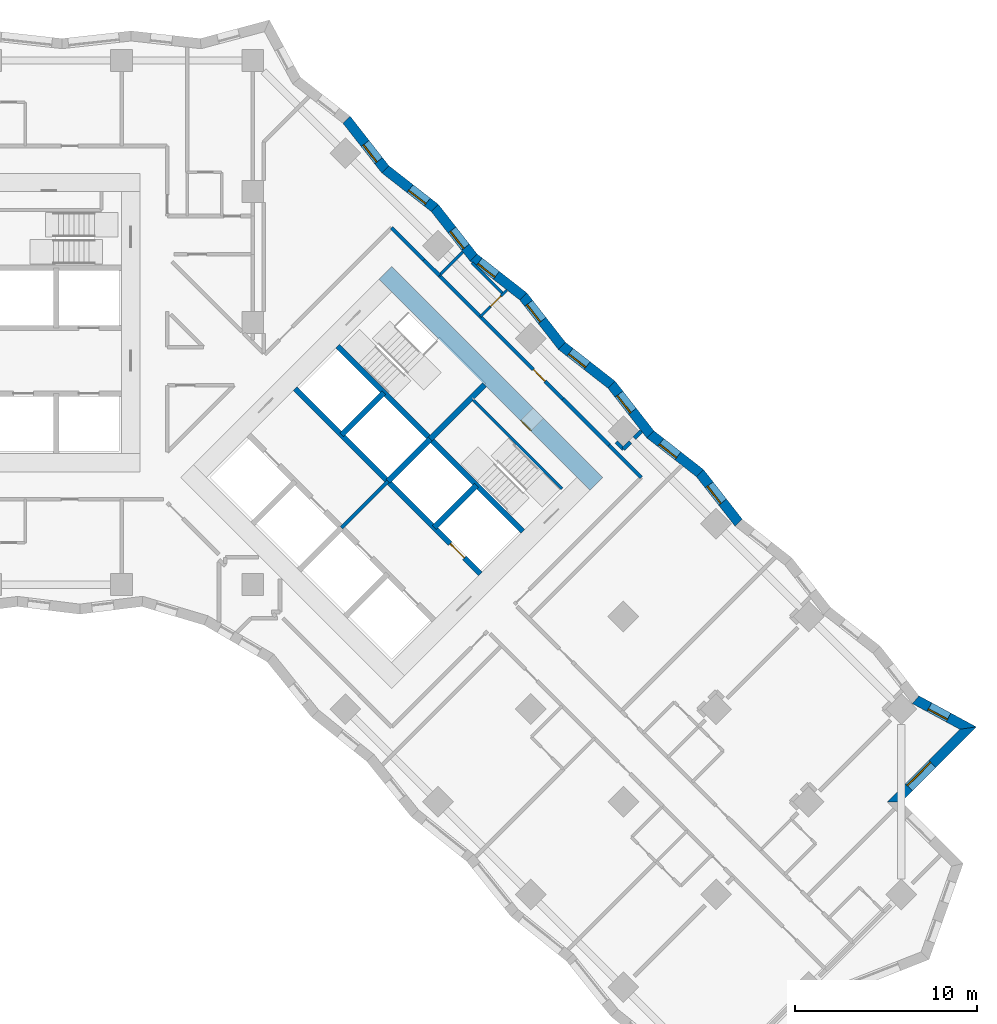
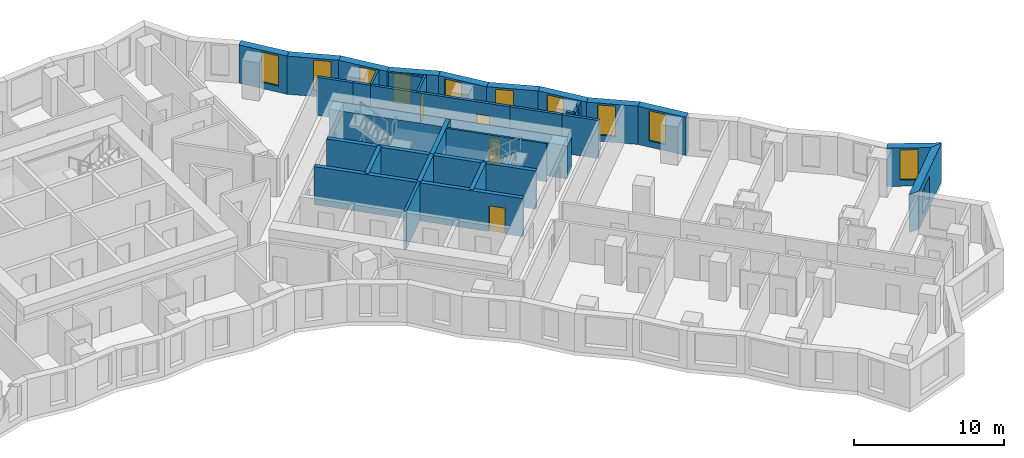
# One storey, part 10 of 13: 32 walls, 11 windows, 4 doors, 15 openings.
"""IFC4 building model written with IfcOpenShell, lengths in metres."""

import ifcopenshell
import ifcopenshell.guid

model = None  # the IFC model being written
_history = None  # IfcOwnerHistory: only IFC2X3 demands one
_inside = {}  # id of a spatial element -> (the spatial element, [elements in it])
_under = {}  # id of a project, library or spatial element -> (it, [spatial elements below it])
_declared = {}  # id of a project -> (the project, [libraries it declares])
_typed = {}  # id of a type object -> (the type object, [elements of that type])
_made_of = {}  # id of a material, layer set ... -> (it, [elements and type objects made of it])


def new_model(schema):
    """Start an empty IFC model of exactly this schema.

    Asked for "IFC4X3", IfcOpenShell would pick the latest addendum, in which some entities
    have other attributes; the version numbers below select the first issue.
    IFC2X3 requires an IfcOwnerHistory on every rooted entity: one is made here for all.
    """
    global model, _history
    if schema == "IFC4X3":
        model = ifcopenshell.file(schema_version=(4, 3, 0, 0))
    else:
        model = ifcopenshell.file(schema=schema)
    _inside.clear()
    _under.clear()
    _declared.clear()
    _typed.clear()
    _made_of.clear()
    _history = None
    if model.schema == "IFC2X3":
        org = make("IfcOrganization", Name="unknown")
        user = make(
            "IfcPersonAndOrganization",
            ThePerson=make("IfcPerson", FamilyName="unknown"),
            TheOrganization=org,
        )
        app = make(
            "IfcApplication",
            ApplicationDeveloper=org,
            Version="unknown",
            ApplicationFullName="unknown",
            ApplicationIdentifier="unknown",
        )
        _history = make(
            "IfcOwnerHistory",
            OwningUser=user,
            OwningApplication=app,
            ChangeAction="ADDED",
            CreationDate=0,
        )
    return model


def make(cls, **values):
    """One entity of the class cls with the attributes given. An attribute that is None is left unset."""
    return model.create_entity(
        cls, **{name: value for name, value in values.items() if value is not None}
    )


def rooted(cls, **values):
    """An entity with a GlobalId (a new one), such as an element, a storey or a relation."""
    return make(cls, GlobalId=ifcopenshell.guid.new(), OwnerHistory=_history, **values)


def si_unit(unit_type, name, prefix=None):
    """IfcSIUnit, for example si_unit("LENGTHUNIT", "METRE", prefix="MILLI")."""
    return make("IfcSIUnit", UnitType=unit_type, Prefix=prefix, Name=name)


def assignment(units):
    """IfcUnitAssignment: the units of a project."""
    return None if units is None else make("IfcUnitAssignment", Units=units)


def point(xyz):
    """IfcCartesianPoint."""
    return None if xyz is None else make("IfcCartesianPoint", Coordinates=xyz)


def direction(xyz):
    """IfcDirection."""
    return None if xyz is None else make("IfcDirection", DirectionRatios=xyz)


def frame(location, z_axis=None, x_axis=None):
    """IfcAxis2Placement3D, a coordinate frame: its origin and axes. An axis left out is left unset."""
    return make(
        "IfcAxis2Placement3D",
        Location=point(location),
        Axis=direction(z_axis),
        RefDirection=direction(x_axis),
    )


def frame_2d(location, x_axis=None):
    """IfcAxis2Placement2D, a coordinate frame in the plane: its origin and x axis."""
    return make(
        "IfcAxis2Placement2D", Location=point(location), RefDirection=direction(x_axis)
    )


def origin():
    """The frame at (0, 0, 0) with its axes left unset."""
    return frame((0.0, 0.0, 0.0))


def place(relative_to, where):
    """IfcLocalPlacement: puts the frame where relative to a parent placement (None: the world)."""
    return make(
        "IfcLocalPlacement", PlacementRelTo=relative_to, RelativePlacement=where
    )


def context(
    kind, dimensions, precision=None, world=None, true_north=None, identifier=None
):
    """IfcGeometricRepresentationContext, for example the 3D "Model" context."""
    return make(
        "IfcGeometricRepresentationContext",
        ContextIdentifier=identifier,
        ContextType=kind,
        CoordinateSpaceDimension=dimensions,
        Precision=precision,
        WorldCoordinateSystem=world,
        TrueNorth=true_north,
    )


def subcontext(parent, identifier, kind, view, scale=None):
    """IfcGeometricRepresentationSubContext, for example "Body" below "Model"."""
    return make(
        "IfcGeometricRepresentationSubContext",
        ContextIdentifier=identifier,
        ContextType=kind,
        ParentContext=parent,
        TargetScale=scale,
        TargetView=view,
    )


def project(units=None, contexts=None):
    """IfcProject with its units and contexts."""
    return rooted(
        "IfcProject",
        Name="project",
        RepresentationContexts=contexts,
        UnitsInContext=assignment(units),
    )


def spatial(cls, under=None, at=None, **own):
    """A site, building, storey or space (cls), placed at a placement, below another one or the project."""
    s = rooted(cls, ObjectPlacement=at, **own)
    if under is not None:
        _under.setdefault(under.id(), (under, []))[1].append(s)
    return s


def polyline(points):
    """IfcPolyline through the points."""
    return make("IfcPolyline", Points=[point(p) for p in points])


def profile(cls, at=None, kind="AREA", **sizes):
    """A parametric profile (cls). Its sizes go by their IFC names, for example OverallWidth=200.0."""
    return make(cls, ProfileType=kind, Position=at, **sizes)


def rectangle(**sizes):
    """IfcRectangleProfileDef."""
    return profile("IfcRectangleProfileDef", **sizes)


def outline(outer, holes=None, kind="AREA"):
    """IfcArbitraryClosedProfileDef: a profile drawn as a closed curve; with holes, ...WithVoids."""
    if holes is None:
        return make("IfcArbitraryClosedProfileDef", ProfileType=kind, OuterCurve=outer)
    return make(
        "IfcArbitraryProfileDefWithVoids",
        ProfileType=kind,
        OuterCurve=outer,
        InnerCurves=holes,
    )


def extrude(swept, where, along, depth):
    """IfcExtrudedAreaSolid: the profile swept, set in the frame where, extruded along a direction by depth."""
    return make(
        "IfcExtrudedAreaSolid",
        SweptArea=swept,
        Position=where,
        ExtrudedDirection=direction(along),
        Depth=depth,
    )


def shape(context_of_items, identifier, shape_type, items):
    """IfcShapeRepresentation: the items that make up one representation, for example the "Body"."""
    return make(
        "IfcShapeRepresentation",
        ContextOfItems=context_of_items,
        RepresentationIdentifier=identifier,
        RepresentationType=shape_type,
        Items=items,
    )


def material(Name=None, Category=None):
    """IfcMaterial."""
    return make("IfcMaterial", Name=Name, Category=Category)


def layer(
    of_material, thickness, ventilated=None, Name=None, Category=None, Priority=None
):
    """IfcMaterialLayer: one layer of a wall or slab, of a material (None: an air gap)."""
    return make(
        "IfcMaterialLayer",
        Material=of_material,
        LayerThickness=thickness,
        IsVentilated=ventilated,
        Name=Name,
        Category=Category,
        Priority=Priority,
    )


def layer_set(layers, Name=None):
    """IfcMaterialLayerSet."""
    return make("IfcMaterialLayerSet", MaterialLayers=layers, LayerSetName=Name)


def made_of(thing, what):
    """Note that an element or type object is made of a material, layer set ...; save() writes the relation."""
    if what is not None:
        _made_of.setdefault(what.id(), (what, []))[1].append(thing)
    return thing


def type_object(cls, material=None, **own):
    """A type object (cls), such as IfcWallType, which elements share."""
    return made_of(rooted(cls, **own), material)


def element(
    cls,
    number,
    at=None,
    inside=None,
    cuts=None,
    type_object=None,
    material=None,
    context=None,
    identifier="Body",
    shape_type=None,
    held_by="IfcProductDefinitionShape",
    body=None,
    shapes=None,
    **own,
):
    """One element of the class cls, such as IfcWall. Its Tag is "e" and its number.

    at: its placement. inside: the storey or other place that contains it. cuts: it is an
    opening in that element (IfcRelVoidsElement). A single representation is given by context,
    identifier, shape_type and body (its items); several are given by shapes. held_by: the class
    of the entity that holds the representations. save() writes the other relations.
    """
    e = rooted(cls, Tag="e%d" % number, ObjectPlacement=at, **own)
    if body is not None:
        shapes = [shape(context, identifier, shape_type, body)]
    if shapes is not None:
        e.Representation = make(held_by, Representations=shapes)
    if inside is not None:
        _inside.setdefault(inside.id(), (inside, []))[1].append(e)
    if cuts is not None:
        rooted(
            "IfcRelVoidsElement", RelatingBuildingElement=cuts, RelatedOpeningElement=e
        )
    if type_object is not None:
        _typed.setdefault(type_object.id(), (type_object, []))[1].append(e)
    return made_of(e, material)


def fill(opening, filler):
    """IfcRelFillsElement: the door or window that sits in an opening."""
    return rooted(
        "IfcRelFillsElement",
        RelatingOpeningElement=opening,
        RelatedBuildingElement=filler,
    )


def aggregate(whole, parts):
    """IfcRelAggregates: a whole, such as a stair, and the parts it consists of."""
    return rooted("IfcRelAggregates", RelatingObject=whole, RelatedObjects=parts)


def save(model, path):
    """Write the relations noted so far, then the file.

    IfcRelAggregates (storeys below a building ...), IfcRelContainedInSpatialStructure (elements
    in a storey), IfcRelDefinesByType, IfcRelAssociatesMaterial and IfcRelDeclares: one each for
    every whole, place, type object, material and project.
    """
    for whole, parts in _under.values():
        aggregate(whole, parts)
    for where, things in _inside.values():
        rooted(
            "IfcRelContainedInSpatialStructure",
            RelatedElements=things,
            RelatingStructure=where,
        )
    for kind, things in _typed.values():
        rooted("IfcRelDefinesByType", RelatedObjects=things, RelatingType=kind)
    for what, things in _made_of.values():
        rooted("IfcRelAssociatesMaterial", RelatedObjects=things, RelatingMaterial=what)
    for by, libraries in _declared.values():
        rooted("IfcRelDeclares", RelatingContext=by, RelatedDefinitions=libraries)
    model.write(path)


model = new_model("IFC4")

# Units and contexts
model_context = context("Model", 3, precision=1e-05, world=origin(), true_north=direction((0.0, 1.0)))
body_context = subcontext(model_context, "Body", "Model", "MODEL_VIEW")
ifc_project = project(units=[si_unit("LENGTHUNIT", "METRE"), si_unit("AREAUNIT", "SQUARE_METRE"), si_unit("VOLUMEUNIT", "CUBIC_METRE"), si_unit("PLANEANGLEUNIT", "RADIAN"), si_unit("MASSUNIT", "GRAM", prefix="KILO")], contexts=[model_context])

# Site, building, storey
site_placement = place(None, origin())
site = spatial("IfcSite", under=ifc_project, at=site_placement, CompositionType="ELEMENT")
building_placement = place(site_placement, origin())
building = spatial("IfcBuilding", under=site, at=building_placement, Name="Windrow Commons", CompositionType="ELEMENT")
storey_placement = place(building_placement, frame((0.0, 0.0, 40.6)))
storey = spatial("IfcBuildingStorey", under=building, at=storey_placement, Name="L10", CompositionType="ELEMENT", Elevation=40.6)

# Wall, opening, window
ifc_material_1 = material(Name="Brick masonry, red clay brick", Category="masonry")
ifc_layer_1 = layer(ifc_material_1, 0.55)
ifc_layer_set_1 = layer_set([ifc_layer_1], Name="Brick facade wall 550")
wall_type_1 = type_object("IfcWallType", Name="Brick facade wall 550", PredefinedType="SOLIDWALL", material=ifc_layer_set_1)
wall_1_placement = place(storey_placement, frame((114.4493, 31.2706, 0.0), z_axis=(0.0, 0.0, 1.0), x_axis=(0.7070980511, 0.7071155112, 0.0)))
wall_1 = element("IfcWall", 1, at=wall_1_placement, inside=storey, type_object=wall_type_1, Name="Brick facade wall L10 6", PredefinedType="SOLIDWALL", context=body_context, shape_type="SweptSolid", body=[
    extrude(outline(polyline([(0.275, -0.275), (6.096, -0.275), (5.3586, 0.275), (-0.275, 0.275), (0.275, -0.275)])), origin(), (0.0, 0.0, 1.0), 3.1),
])
opening_1_placement = place(wall_1_placement, frame((1.1375, 0.0, 0.6)))
opening_1 = element("IfcOpeningElement", 2, at=opening_1_placement, cuts=wall_1, Name="Opening W1L", PredefinedType="OPENING", context=body_context, shape_type="SweptSolid", body=[
    extrude(rectangle(XDim=1.8, YDim=1.9, at=frame_2d((0.9, 0.95))), frame((0.0, 0.285, 0.0), z_axis=(0.0, -1.0, 0.0), x_axis=(1.0, 0.0, 0.0)), (0.0, 0.0, 1.0), 0.57),
])
ifc_material_2 = material(Name="Clear float glass in anodised aluminium frame", Category="aluminium")
window_type_1 = type_object("IfcWindowType", Name="Window W1L bedroom 1800x1900", PartitioningType="SINGLE_PANEL", PredefinedType="WINDOW", material=ifc_material_2)
window_1_placement = place(opening_1_placement, origin())
window_1 = element("IfcWindow", 3, at=window_1_placement, inside=storey, type_object=window_type_1, Name="Window L10 6.1", OverallHeight=1.9, OverallWidth=1.8, PartitioningType="SINGLE_PANEL", PredefinedType="WINDOW", context=body_context, shape_type="SweptSolid", body=[
    extrude(rectangle(XDim=1.8, YDim=1.9, at=frame_2d((0.9, 0.95))), frame((0.0, 0.155, 0.0), z_axis=(0.0, -1.0, 0.0), x_axis=(1.0, 0.0, 0.0)), (0.0, 0.0, 1.0), 0.06),
])
fill(opening_1, window_1)

wall_2_placement = place(storey_placement, frame((118.4991, 35.3205, 0.0), z_axis=(0.0, 0.0, 1.0), x_axis=(-0.8793629348, 0.476152107, 0.0)))
wall_2 = element("IfcWall", 4, at=wall_2_placement, inside=storey, type_object=wall_type_1, Name="Brick facade wall L10 7", PredefinedType="SOLIDWALL", context=body_context, shape_type="SweptSolid", body=[
    extrude(outline(polyline([(-0.3687, -0.275), (3.2124, -0.275), (3.3271, 0.275), (0.3687, 0.275), (-0.3687, -0.275)])), origin(), (0.0, 0.0, 1.0), 3.1),
])
opening_2_placement = place(wall_2_placement, frame((1.2192, 0.0, 0.5)))
opening_2 = element("IfcOpeningElement", 5, at=opening_2_placement, cuts=wall_2, Name="Opening W7D", PredefinedType="OPENING", context=body_context, shape_type="SweptSolid", body=[
    extrude(rectangle(XDim=1.2, YDim=2.45, at=frame_2d((0.6, 1.225))), frame((0.0, 0.285, 0.0), z_axis=(0.0, -1.0, 0.0), x_axis=(1.0, 0.0, 0.0)), (0.0, 0.0, 1.0), 0.57),
])
ifc_material_3 = material(Name="Clear float glass in anodised aluminium frame", Category="aluminium")
window_type_2 = type_object("IfcWindowType", Name="Window W7 notch 1200x2450", PartitioningType="SINGLE_PANEL", PredefinedType="WINDOW", material=ifc_material_3)
window_2_placement = place(opening_2_placement, origin())
window_2 = element("IfcWindow", 6, at=window_2_placement, inside=storey, type_object=window_type_2, Name="Window L10 7.1", OverallHeight=2.45, OverallWidth=1.2, PartitioningType="SINGLE_PANEL", PredefinedType="WINDOW", context=body_context, shape_type="SweptSolid", body=[
    extrude(rectangle(XDim=1.2, YDim=2.45, at=frame_2d((0.6, 1.225))), frame((0.0, 0.155, 0.0), z_axis=(0.0, -1.0, 0.0), x_axis=(1.0, 0.0, 0.0)), (0.0, 0.0, 1.0), 0.06),
])
fill(opening_2, window_2)

wall_3_placement = place(storey_placement, frame((105.9007, 46.6046, 0.0), z_axis=(0.0, 0.0, 1.0), x_axis=(-0.6157787082, 0.7879191472, 0.0)))
wall_3 = element("IfcWall", 7, at=wall_3_placement, inside=storey, type_object=wall_type_1, Name="Brick facade wall L10 12", PredefinedType="SOLIDWALL", context=body_context, shape_type="SweptSolid", body=[
    extrude(outline(polyline([(0.0337, -0.275), (3.4919, -0.275), (3.4245, 0.275), (-0.0337, 0.275), (0.0337, -0.275)])), origin(), (0.0, 0.0, 1.0), 3.1),
])
opening_3_placement = place(wall_3_placement, frame((1.4341, 0.0, 0.5)))
opening_3 = element("IfcOpeningElement", 8, at=opening_3_placement, cuts=wall_3, Name="Opening W7D", PredefinedType="OPENING", context=body_context, shape_type="SweptSolid", body=[
    extrude(rectangle(XDim=1.2, YDim=2.45, at=frame_2d((0.6, 1.225))), frame((0.0, 0.285, 0.0), z_axis=(0.0, -1.0, 0.0), x_axis=(1.0, 0.0, 0.0)), (0.0, 0.0, 1.0), 0.57),
])
window_3_placement = place(opening_3_placement, origin())
window_3 = element("IfcWindow", 9, at=window_3_placement, inside=storey, type_object=window_type_2, Name="Window L10 12.1", OverallHeight=2.45, OverallWidth=1.2, PartitioningType="SINGLE_PANEL", PredefinedType="WINDOW", context=body_context, shape_type="SweptSolid", body=[
    extrude(rectangle(XDim=1.2, YDim=2.45, at=frame_2d((0.6, 1.225))), frame((0.0, 0.155, 0.0), z_axis=(0.0, -1.0, 0.0), x_axis=(1.0, 0.0, 0.0)), (0.0, 0.0, 1.0), 0.06),
])
fill(opening_3, window_3)

wall_4_placement = place(storey_placement, frame((103.7712, 49.3294, 0.0), z_axis=(0.0, 0.0, 1.0), x_axis=(-0.7879191472, 0.6157787082, 0.0)))
wall_4 = element("IfcWall", 10, at=wall_4_placement, inside=storey, type_object=wall_type_1, Name="Brick facade wall L10 13", PredefinedType="SOLIDWALL", context=body_context, shape_type="SweptSolid", body=[
    extrude(outline(polyline([(-0.0337, -0.275), (3.4245, -0.275), (3.4919, 0.275), (0.0337, 0.275), (-0.0337, -0.275)])), origin(), (0.0, 0.0, 1.0), 3.1),
])
opening_4_placement = place(wall_4_placement, frame((1.5354, 0.0, 0.5)))
opening_4 = element("IfcOpeningElement", 11, at=opening_4_placement, cuts=wall_4, Name="Opening W7D", PredefinedType="OPENING", context=body_context, shape_type="SweptSolid", body=[
    extrude(rectangle(XDim=1.2, YDim=2.45, at=frame_2d((0.6, 1.225))), frame((0.0, 0.285, 0.0), z_axis=(0.0, -1.0, 0.0), x_axis=(1.0, 0.0, 0.0)), (0.0, 0.0, 1.0), 0.57),
])
window_4_placement = place(opening_4_placement, origin())
window_4 = element("IfcWindow", 12, at=window_4_placement, inside=storey, type_object=window_type_2, Name="Window L10 13.1", OverallHeight=2.45, OverallWidth=1.2, PartitioningType="SINGLE_PANEL", PredefinedType="WINDOW", context=body_context, shape_type="SweptSolid", body=[
    extrude(rectangle(XDim=1.2, YDim=2.45, at=frame_2d((0.6, 1.225))), frame((0.0, 0.155, 0.0), z_axis=(0.0, -1.0, 0.0), x_axis=(1.0, 0.0, 0.0)), (0.0, 0.0, 1.0), 0.06),
])
fill(opening_4, window_4)

wall_5_placement = place(storey_placement, frame((101.0464, 51.4589, 0.0), z_axis=(0.0, 0.0, 1.0), x_axis=(-0.6157607558, 0.7879331771, 0.0)))
wall_5 = element("IfcWall", 13, at=wall_5_placement, inside=storey, type_object=wall_type_1, Name="Brick facade wall L10 14", PredefinedType="SOLIDWALL", context=body_context, shape_type="SweptSolid", body=[
    extrude(outline(polyline([(0.0337, -0.275), (3.4919, -0.275), (3.4245, 0.275), (-0.0337, 0.275), (0.0337, -0.275)])), origin(), (0.0, 0.0, 1.0), 3.1),
])
opening_5_placement = place(wall_5_placement, frame((1.6029, 0.0, 0.5)))
opening_5 = element("IfcOpeningElement", 14, at=opening_5_placement, cuts=wall_5, Name="Opening W7D", PredefinedType="OPENING", context=body_context, shape_type="SweptSolid", body=[
    extrude(rectangle(XDim=1.2, YDim=2.45, at=frame_2d((0.6, 1.225))), frame((0.0, 0.285, 0.0), z_axis=(0.0, -1.0, 0.0), x_axis=(1.0, 0.0, 0.0)), (0.0, 0.0, 1.0), 0.57),
])
window_5_placement = place(opening_5_placement, origin())
window_5 = element("IfcWindow", 15, at=window_5_placement, inside=storey, type_object=window_type_2, Name="Window L10 14.1", OverallHeight=2.45, OverallWidth=1.2, PartitioningType="SINGLE_PANEL", PredefinedType="WINDOW", context=body_context, shape_type="SweptSolid", body=[
    extrude(rectangle(XDim=1.2, YDim=2.45, at=frame_2d((0.6, 1.225))), frame((0.0, 0.155, 0.0), z_axis=(0.0, -1.0, 0.0), x_axis=(1.0, 0.0, 0.0)), (0.0, 0.0, 1.0), 0.06),
])
fill(opening_5, window_5)

wall_6_placement = place(storey_placement, frame((98.917, 54.1837, 0.0), z_axis=(0.0, 0.0, 1.0), x_axis=(-0.7879301115, 0.6157646785, 0.0)))
wall_6 = element("IfcWall", 16, at=wall_6_placement, inside=storey, type_object=wall_type_1, Name="Brick facade wall L10 15", PredefinedType="SOLIDWALL", context=body_context, shape_type="SweptSolid", body=[
    extrude(outline(polyline([(-0.0337, -0.275), (3.4245, -0.275), (3.4919, 0.275), (0.0337, 0.275), (-0.0337, -0.275)])), origin(), (0.0, 0.0, 1.0), 3.1),
])
opening_6_placement = place(wall_6_placement, frame((1.7041, 0.0, 0.5)))
opening_6 = element("IfcOpeningElement", 17, at=opening_6_placement, cuts=wall_6, Name="Opening W7D", PredefinedType="OPENING", context=body_context, shape_type="SweptSolid", body=[
    extrude(rectangle(XDim=1.2, YDim=2.45, at=frame_2d((0.6, 1.225))), frame((0.0, 0.285, 0.0), z_axis=(0.0, -1.0, 0.0), x_axis=(1.0, 0.0, 0.0)), (0.0, 0.0, 1.0), 0.57),
])
window_6_placement = place(opening_6_placement, origin())
window_6 = element("IfcWindow", 18, at=window_6_placement, inside=storey, type_object=window_type_2, Name="Window L10 15.1", OverallHeight=2.45, OverallWidth=1.2, PartitioningType="SINGLE_PANEL", PredefinedType="WINDOW", context=body_context, shape_type="SweptSolid", body=[
    extrude(rectangle(XDim=1.2, YDim=2.45, at=frame_2d((0.6, 1.225))), frame((0.0, 0.155, 0.0), z_axis=(0.0, -1.0, 0.0), x_axis=(1.0, 0.0, 0.0)), (0.0, 0.0, 1.0), 0.06),
])
fill(opening_6, window_6)

wall_7_placement = place(storey_placement, frame((96.1921, 56.3132, 0.0), z_axis=(0.0, 0.0, 1.0), x_axis=(-0.6157607558, 0.7879331771, 0.0)))
wall_7 = element("IfcWall", 19, at=wall_7_placement, inside=storey, type_object=wall_type_1, Name="Brick facade wall L10 16", PredefinedType="SOLIDWALL", context=body_context, shape_type="SweptSolid", body=[
    extrude(outline(polyline([(0.0337, -0.275), (3.4919, -0.275), (3.4245, 0.275), (-0.0337, 0.275), (0.0337, -0.275)])), origin(), (0.0, 0.0, 1.0), 3.1),
])
opening_7_placement = place(wall_7_placement, frame((1.7717, 0.0, 0.5)))
opening_7 = element("IfcOpeningElement", 20, at=opening_7_placement, cuts=wall_7, Name="Opening W7D", PredefinedType="OPENING", context=body_context, shape_type="SweptSolid", body=[
    extrude(rectangle(XDim=1.2, YDim=2.45, at=frame_2d((0.6, 1.225))), frame((0.0, 0.285, 0.0), z_axis=(0.0, -1.0, 0.0), x_axis=(1.0, 0.0, 0.0)), (0.0, 0.0, 1.0), 0.57),
])
window_7_placement = place(opening_7_placement, origin())
window_7 = element("IfcWindow", 21, at=window_7_placement, inside=storey, type_object=window_type_2, Name="Window L10 16.1", OverallHeight=2.45, OverallWidth=1.2, PartitioningType="SINGLE_PANEL", PredefinedType="WINDOW", context=body_context, shape_type="SweptSolid", body=[
    extrude(rectangle(XDim=1.2, YDim=2.45, at=frame_2d((0.6, 1.225))), frame((0.0, 0.155, 0.0), z_axis=(0.0, -1.0, 0.0), x_axis=(1.0, 0.0, 0.0)), (0.0, 0.0, 1.0), 0.06),
])
fill(opening_7, window_7)

wall_8_placement = place(storey_placement, frame((94.0627, 59.038, 0.0), z_axis=(0.0, 0.0, 1.0), x_axis=(-0.787944141, 0.6157467261, 0.0)))
wall_8 = element("IfcWall", 22, at=wall_8_placement, inside=storey, type_object=wall_type_1, Name="Brick facade wall L10 17", PredefinedType="SOLIDWALL", context=body_context, shape_type="SweptSolid", body=[
    extrude(outline(polyline([(-0.0337, -0.275), (3.4245, -0.275), (3.4919, 0.275), (0.0337, 0.275), (-0.0337, -0.275)])), origin(), (0.0, 0.0, 1.0), 3.1),
])
opening_8_placement = place(wall_8_placement, frame((1.8729, 0.0, 0.5)))
opening_8 = element("IfcOpeningElement", 23, at=opening_8_placement, cuts=wall_8, Name="Opening W7D", PredefinedType="OPENING", context=body_context, shape_type="SweptSolid", body=[
    extrude(rectangle(XDim=1.2, YDim=2.45, at=frame_2d((0.6, 1.225))), frame((0.0, 0.285, 0.0), z_axis=(0.0, -1.0, 0.0), x_axis=(1.0, 0.0, 0.0)), (0.0, 0.0, 1.0), 0.57),
])
window_8_placement = place(opening_8_placement, origin())
window_8 = element("IfcWindow", 24, at=window_8_placement, inside=storey, type_object=window_type_2, Name="Window L10 17.2", OverallHeight=2.45, OverallWidth=1.2, PartitioningType="SINGLE_PANEL", PredefinedType="WINDOW", context=body_context, shape_type="SweptSolid", body=[
    extrude(rectangle(XDim=1.2, YDim=2.45, at=frame_2d((0.6, 1.225))), frame((0.0, 0.155, 0.0), z_axis=(0.0, -1.0, 0.0), x_axis=(1.0, 0.0, 0.0)), (0.0, 0.0, 1.0), 0.06),
])
fill(opening_8, window_8)

wall_9_placement = place(storey_placement, frame((91.3378, 61.1674, 0.0), z_axis=(0.0, 0.0, 1.0), x_axis=(-0.6157467261, 0.787944141, 0.0)))
wall_9 = element("IfcWall", 25, at=wall_9_placement, inside=storey, type_object=wall_type_1, Name="Brick facade wall L10 18", PredefinedType="SOLIDWALL", context=body_context, shape_type="SweptSolid", body=[
    extrude(outline(polyline([(0.0337, -0.275), (3.4919, -0.275), (3.4245, 0.275), (-0.0337, 0.275), (0.0337, -0.275)])), origin(), (0.0, 0.0, 1.0), 3.1),
])
opening_9_placement = place(wall_9_placement, frame((0.7282, 0.0, 0.5)))
opening_9 = element("IfcOpeningElement", 26, at=opening_9_placement, cuts=wall_9, Name="Opening W7D", PredefinedType="OPENING", context=body_context, shape_type="SweptSolid", body=[
    extrude(rectangle(XDim=1.2, YDim=2.45, at=frame_2d((0.6, 1.225))), frame((0.0, 0.285, 0.0), z_axis=(0.0, -1.0, 0.0), x_axis=(1.0, 0.0, 0.0)), (0.0, 0.0, 1.0), 0.57),
])
window_9_placement = place(opening_9_placement, origin())
window_9 = element("IfcWindow", 27, at=window_9_placement, inside=storey, type_object=window_type_2, Name="Window L10 18.1", OverallHeight=2.45, OverallWidth=1.2, PartitioningType="SINGLE_PANEL", PredefinedType="WINDOW", context=body_context, shape_type="SweptSolid", body=[
    extrude(rectangle(XDim=1.2, YDim=2.45, at=frame_2d((0.6, 1.225))), frame((0.0, 0.155, 0.0), z_axis=(0.0, -1.0, 0.0), x_axis=(1.0, 0.0, 0.0)), (0.0, 0.0, 1.0), 0.06),
])
fill(opening_9, window_9)

wall_10_placement = place(storey_placement, frame((89.2084, 63.8923, 0.0), z_axis=(0.0, 0.0, 1.0), x_axis=(-0.7879331771, 0.6157607558, 0.0)))
wall_10 = element("IfcWall", 28, at=wall_10_placement, inside=storey, type_object=wall_type_1, Name="Brick facade wall L10 19", PredefinedType="SOLIDWALL", context=body_context, shape_type="SweptSolid", body=[
    extrude(outline(polyline([(-0.0337, -0.275), (3.4245, -0.275), (3.4919, 0.275), (0.0337, 0.275), (-0.0337, -0.275)])), origin(), (0.0, 0.0, 1.0), 3.1),
])
opening_10_placement = place(wall_10_placement, frame((0.5294, 0.0, 0.5)))
opening_10 = element("IfcOpeningElement", 29, at=opening_10_placement, cuts=wall_10, Name="Opening W7D", PredefinedType="OPENING", context=body_context, shape_type="SweptSolid", body=[
    extrude(rectangle(XDim=1.2, YDim=2.45, at=frame_2d((0.6, 1.225))), frame((0.0, 0.285, 0.0), z_axis=(0.0, -1.0, 0.0), x_axis=(1.0, 0.0, 0.0)), (0.0, 0.0, 1.0), 0.57),
])
window_10_placement = place(opening_10_placement, origin())
window_10 = element("IfcWindow", 30, at=window_10_placement, inside=storey, type_object=window_type_2, Name="Window L10 19.1", OverallHeight=2.45, OverallWidth=1.2, PartitioningType="SINGLE_PANEL", PredefinedType="WINDOW", context=body_context, shape_type="SweptSolid", body=[
    extrude(rectangle(XDim=1.2, YDim=2.45, at=frame_2d((0.6, 1.225))), frame((0.0, 0.155, 0.0), z_axis=(0.0, -1.0, 0.0), x_axis=(1.0, 0.0, 0.0)), (0.0, 0.0, 1.0), 0.06),
])
fill(opening_10, window_10)

wall_11_placement = place(storey_placement, frame((86.4836, 66.0217, 0.0), z_axis=(0.0, 0.0, 1.0), x_axis=(-0.6157787082, 0.7879191472, 0.0)))
wall_11 = element("IfcWall", 31, at=wall_11_placement, inside=storey, type_object=wall_type_1, Name="Brick facade wall L10 20", PredefinedType="SOLIDWALL", context=body_context, shape_type="SweptSolid", body=[
    extrude(outline(polyline([(0.0337, -0.275), (3.4919, -0.275), (3.4245, 0.275), (-0.0337, 0.275), (0.0337, -0.275)])), origin(), (0.0, 0.0, 1.0), 3.1),
])
opening_11_placement = place(wall_11_placement, frame((0.5969, 0.0, 0.5)))
opening_11 = element("IfcOpeningElement", 32, at=opening_11_placement, cuts=wall_11, Name="Opening W7D", PredefinedType="OPENING", context=body_context, shape_type="SweptSolid", body=[
    extrude(rectangle(XDim=1.2, YDim=2.45, at=frame_2d((0.6, 1.225))), frame((0.0, 0.285, 0.0), z_axis=(0.0, -1.0, 0.0), x_axis=(1.0, 0.0, 0.0)), (0.0, 0.0, 1.0), 0.57),
])
window_11_placement = place(opening_11_placement, origin())
window_11 = element("IfcWindow", 33, at=window_11_placement, inside=storey, type_object=window_type_2, Name="Window L10 20.1", OverallHeight=2.45, OverallWidth=1.2, PartitioningType="SINGLE_PANEL", PredefinedType="WINDOW", context=body_context, shape_type="SweptSolid", body=[
    extrude(rectangle(XDim=1.2, YDim=2.45, at=frame_2d((0.6, 1.225))), frame((0.0, 0.155, 0.0), z_axis=(0.0, -1.0, 0.0), x_axis=(1.0, 0.0, 0.0)), (0.0, 0.0, 1.0), 0.06),
])
fill(opening_11, window_11)

# Wall
ifc_material_4 = material(Name="Blockwork partition", Category="masonry")
ifc_layer_2 = layer(ifc_material_4, 0.2)
ifc_layer_set_2 = layer_set([ifc_layer_2], Name="Fire lobby partition 200")
wall_type_2 = type_object("IfcWallType", Name="Fire lobby partition 200", PredefinedType="PARTITIONING", material=ifc_layer_set_2)
wall_12_placement = place(storey_placement, frame((84.079, 46.332, 0.0), z_axis=(0.0, 0.0, 1.0), x_axis=(0.7071067812, 0.7071067812, 0.0)))
element("IfcWall", 34, at=wall_12_placement, inside=storey, type_object=wall_type_2, Name="W-core-lobby-B-L10", PredefinedType="PARTITIONING", context=body_context, shape_type="SweptSolid", body=[
    extrude(rectangle(XDim=3.6, YDim=0.2, at=frame_2d((1.8, 0.0))), origin(), (0.0, 0.0, 1.0), 3.1),
])

# Wall, opening, door
ifc_material_5 = material(Name="Blockwork partition", Category="masonry")
ifc_layer_3 = layer(ifc_material_5, 0.2)
ifc_layer_set_3 = layer_set([ifc_layer_3], Name="IW-CORRIDOR-200")
wall_type_3 = type_object("IfcWallType", Name="IW-CORRIDOR-200", PredefinedType="PARTITIONING", material=ifc_layer_set_3)
wall_13_placement = place(storey_placement, frame((89.4506, 60.1886, 0.0), z_axis=(0.0, 0.0, 1.0), x_axis=(0.7071796965, -0.7070338583, 0.0)))
wall_13 = element("IfcWall", 35, at=wall_13_placement, inside=storey, type_object=wall_type_3, Name="W-L10-W013", PredefinedType="PARTITIONING", context=body_context, shape_type="SweptSolid", body=[
    extrude(rectangle(XDim=9.5997, YDim=0.2, at=frame_2d((4.7999, 0.0))), origin(), (0.0, 0.0, 1.0), 3.1),
])
opening_12_placement = place(wall_13_placement, frame((7.3148, 0.0, 0.0)))
opening_12 = element("IfcOpeningElement", 36, at=opening_12_placement, cuts=wall_13, Name="Opening D109F", PredefinedType="OPENING", context=body_context, shape_type="SweptSolid", body=[
    extrude(rectangle(XDim=0.9, YDim=2.1, at=frame_2d((0.45, 1.05))), frame((0.0, 0.11, 0.0), z_axis=(0.0, -1.0, 0.0), x_axis=(1.0, 0.0, 0.0)), (0.0, 0.0, 1.0), 0.22),
])
ifc_material_6 = material(Name="Timber door leaf", Category="wood")
door_type_1 = type_object("IfcDoorType", Name="DT-BEDROOM-900", OperationType="SINGLE_SWING_LEFT", PredefinedType="DOOR", material=ifc_material_6)
door_1_placement = place(opening_12_placement, origin())
door_1 = element("IfcDoor", 37, at=door_1_placement, inside=storey, type_object=door_type_1, Name="D-L10-D047", OperationType="SINGLE_SWING_LEFT", OverallHeight=2.1, OverallWidth=0.9, PredefinedType="DOOR", context=body_context, shape_type="SweptSolid", body=[
    extrude(rectangle(XDim=0.9, YDim=2.1, at=frame_2d((0.45, 1.05))), frame((0.0, 0.025, 0.0), z_axis=(0.0, -1.0, 0.0), x_axis=(1.0, 0.0, 0.0)), (0.0, 0.0, 1.0), 0.05),
])
fill(opening_12, door_1)

# Walls
wall_14_placement = place(storey_placement, frame((96.2437, 53.4057, 0.0), z_axis=(0.0, 0.0, 1.0), x_axis=(0.7068288851, -0.7073845681, 0.0)))
element("IfcWall", 38, at=wall_14_placement, inside=storey, type_object=wall_type_3, Name="W-L10-W055", PredefinedType="PARTITIONING", context=body_context, shape_type="SweptSolid", body=[
    extrude(rectangle(XDim=3.5992, YDim=0.2, at=frame_2d((1.7996, 0.0))), origin(), (0.0, 0.0, 1.0), 3.1),
])
wall_15_placement = place(storey_placement, frame((98.783, 50.855, 0.0), z_axis=(0.0, 0.0, 1.0), x_axis=(0.7071067812, -0.7071067812, 0.0)))
element("IfcWall", 39, at=wall_15_placement, inside=storey, type_object=wall_type_3, Name="W-L10-W071", PredefinedType="PARTITIONING", context=body_context, shape_type="SweptSolid", body=[
    extrude(rectangle(XDim=2.5003, YDim=0.2, at=frame_2d((1.2502, 0.0))), origin(), (0.0, 0.0, 1.0), 3.1),
])
wall_16_placement = place(storey_placement, frame((86.835, 62.803, 0.0), z_axis=(0.0, 0.0, 1.0), x_axis=(0.7071067812, -0.7071067812, 0.0)))
element("IfcWall", 40, at=wall_16_placement, inside=storey, type_object=wall_type_3, Name="W-L10-W072", PredefinedType="PARTITIONING", context=body_context, shape_type="SweptSolid", body=[
    extrude(rectangle(XDim=2.4975, YDim=0.2, at=frame_2d((1.2488, 0.0))), origin(), (0.0, 0.0, 1.0), 3.1),
])
wall_17_placement = place(storey_placement, frame((88.6031, 61.0391, 0.0), z_axis=(0.0, 0.0, 1.0), x_axis=(0.7079391603, -0.7062734211, 0.0)))
element("IfcWall", 41, at=wall_17_placement, inside=storey, type_object=wall_type_3, Name="W-L10-W153", PredefinedType="PARTITIONING", context=body_context, shape_type="SweptSolid", body=[
    extrude(rectangle(XDim=1.2007, YDim=0.2, at=frame_2d((0.6004, 0.0))), origin(), (0.0, 0.0, 1.0), 3.1),
])
ifc_material_7 = material(Name="Blockwork partition", Category="masonry")
ifc_layer_4 = layer(ifc_material_7, 0.15)
ifc_layer_set_4 = layer_set([ifc_layer_4], Name="IW-ENSUITE-150")
wall_type_4 = type_object("IfcWallType", Name="IW-ENSUITE-150", PredefinedType="PARTITIONING", material=ifc_layer_set_4)
wall_18_placement = place(storey_placement, frame((91.2391, 60.8879, 0.0), z_axis=(0.0, 0.0, 1.0), x_axis=(0.7071067812, -0.7071067812, 0.0)))
element("IfcWall", 42, at=wall_18_placement, inside=storey, type_object=wall_type_4, Name="W-L10-W073", PredefinedType="PARTITIONING", context=body_context, shape_type="SweptSolid", body=[
    extrude(rectangle(XDim=2.4302, YDim=0.15, at=frame_2d((1.2151, 0.0))), origin(), (0.0, 0.0, 1.0), 3.1),
])

# Wall, opening, door
wall_19_placement = place(storey_placement, frame((91.7148, 57.9292, 0.0), z_axis=(0.0, 0.0, 1.0), x_axis=(0.7071067812, 0.7071067812, 0.0)))
wall_19 = element("IfcWall", 43, at=wall_19_placement, inside=storey, type_object=wall_type_4, Name="W-L10-W120", PredefinedType="PARTITIONING", context=body_context, shape_type="SweptSolid", body=[
    extrude(rectangle(XDim=2.0597, YDim=0.15, at=frame_2d((1.0298, 0.0))), origin(), (0.0, 0.0, 1.0), 3.1),
])
opening_13_placement = place(wall_19_placement, frame((0.7839, 0.0, 0.0)))
opening_13 = element("IfcOpeningElement", 44, at=opening_13_placement, cuts=wall_19, Name="Opening D208N", PredefinedType="OPENING", context=body_context, shape_type="SweptSolid", body=[
    extrude(rectangle(XDim=0.8, YDim=2.1, at=frame_2d((0.4, 1.05))), frame((0.0, 0.085, 0.0), z_axis=(0.0, -1.0, 0.0), x_axis=(1.0, 0.0, 0.0)), (0.0, 0.0, 1.0), 0.17),
])
ifc_material_8 = material(Name="Timber door leaf", Category="wood")
door_type_2 = type_object("IfcDoorType", Name="DT-ENSUITE-800", OperationType="SINGLE_SWING_LEFT", PredefinedType="DOOR", material=ifc_material_8)
door_2_placement = place(opening_13_placement, origin())
door_2 = element("IfcDoor", 45, at=door_2_placement, inside=storey, type_object=door_type_2, Name="D-L10-D048", OperationType="SINGLE_SWING_RIGHT", OverallHeight=2.1, OverallWidth=0.8, PredefinedType="DOOR", context=body_context, shape_type="SweptSolid", body=[
    extrude(rectangle(XDim=0.8, YDim=2.1, at=frame_2d((0.4, 1.05))), frame((0.0, 0.025, 0.0), z_axis=(0.0, -1.0, 0.0), x_axis=(1.0, 0.0, 0.0)), (0.0, 0.0, 1.0), 0.05),
])
fill(opening_13, door_2)

# Walls
wall_20_placement = place(storey_placement, frame((89.453, 60.193, 0.0), z_axis=(0.0, 0.0, 1.0), x_axis=(0.7071341975, 0.7070793639, 0.0)))
element("IfcWall", 46, at=wall_20_placement, inside=storey, type_object=wall_type_4, Name="W-L10-W145", PredefinedType="PARTITIONING", context=body_context, shape_type="SweptSolid", body=[
    extrude(rectangle(XDim=1.8237, YDim=0.15, at=frame_2d((0.9119, 0.0))), origin(), (0.0, 0.0, 1.0), 3.1),
])
ifc_material_9 = material(Name="Blockwork partition", Category="masonry")
ifc_layer_5 = layer(ifc_material_9, 0.2)
ifc_layer_set_5 = layer_set([ifc_layer_5], Name="IW-PARTY-200")
wall_type_5 = type_object("IfcWallType", Name="IW-PARTY-200", PredefinedType="PARTITIONING", material=ifc_layer_set_5)
for number, where, z_axis, x_axis, name in (
    (47, (99.5608, 50.6432, 0.0), (0.0, 0.0, 1.0), (0.7071067812, 0.7071067812, 0.0), "W-L10-W171"),
    (48, (99.1678, 51.0358, 0.0), (0.0, 0.0, 1.0), (0.7071067812, -0.7071067812, 0.0), "W-L10-W173"),
):
    element("IfcWall", number, at=place(storey_placement, frame(where, z_axis=z_axis, x_axis=x_axis)), inside=storey, type_object=wall_type_5, Name=name, PredefinedType="PARTITIONING", context=body_context, shape_type="SweptSolid", body=[
        extrude(rectangle(XDim=0.5572, YDim=0.2, at=frame_2d((0.2786, 0.0))), origin(), (0.0, 0.0, 1.0), 3.1),
    ])
wall_21_placement = place(storey_placement, frame((100.1628, 51.2452, 0.0), z_axis=(0.0, 0.0, 1.0), x_axis=(0.7071067812, 0.7071067812, 0.0)))
element("IfcWall", 49, at=wall_21_placement, inside=storey, type_object=wall_type_5, Name="W-L10-W182", PredefinedType="PARTITIONING", context=body_context, shape_type="SweptSolid", body=[
    extrude(rectangle(XDim=0.5569, YDim=0.2, at=frame_2d((0.2784, 0.0))), origin(), (0.0, 0.0, 1.0), 3.1),
])

# Wall, opening, door
ifc_material_10 = material(Name="Concrete C60/75", Category="concrete")
ifc_layer_6 = layer(ifc_material_10, 1.0)
ifc_layer_set_6 = layer_set([ifc_layer_6], Name="RC CORE WALL 1000 C60/75")
wall_type_6 = type_object("IfcWallType", Name="RC CORE WALL 1000 C60/75", PredefinedType="SHEAR", material=ifc_layer_set_6)
wall_22_placement = place(storey_placement, frame((86.4832, 60.3327, -0.3), z_axis=(0.0, 0.0, 1.0), x_axis=(0.70710983, -0.7071037324, 0.0)))
wall_22 = element("IfcWall", 50, at=wall_22_placement, inside=storey, type_object=wall_type_6, Name="Core B wall outer-N", PredefinedType="SHEAR", context=body_context, shape_type="SweptSolid", body=[
    extrude(rectangle(XDim=16.4, YDim=1.0, at=frame_2d((8.2, 0.0))), origin(), (0.0, 0.0, 1.0), 2.7),
])
opening_14_placement = place(wall_22_placement, frame((11.0, 0.0, 0.3)))
opening_14 = element("IfcOpeningElement", 51, at=opening_14_placement, cuts=wall_22, Name="Opening D9", PredefinedType="OPENING", context=body_context, shape_type="SweptSolid", body=[
    extrude(rectangle(XDim=0.8, YDim=2.1, at=frame_2d((0.4, 1.05))), frame((0.0, 0.51, 0.0), z_axis=(0.0, -1.0, 0.0), x_axis=(1.0, 0.0, 0.0)), (0.0, 0.0, 1.0), 1.02),
])
ifc_material_11 = material(Name="Steel fire door leaf", Category="steel")
door_type_3 = type_object("IfcDoorType", Name="Riser access door 800", OperationType="SINGLE_SWING_LEFT", PredefinedType="DOOR", material=ifc_material_11)
door_3_placement = place(opening_14_placement, origin())
door_3 = element("IfcDoor", 52, at=door_3_placement, inside=storey, type_object=door_type_3, Name="Riser access door", OperationType="SINGLE_SWING_RIGHT", OverallHeight=2.1, OverallWidth=0.8, PredefinedType="DOOR", context=body_context, shape_type="SweptSolid", body=[
    extrude(rectangle(XDim=0.8, YDim=2.1, at=frame_2d((0.4, 1.05))), frame((0.0, -0.44, 0.0), z_axis=(0.0, -1.0, 0.0), x_axis=(1.0, 0.0, 0.0)), (0.0, 0.0, 1.0), 0.05),
])
fill(opening_14, door_3)

# Walls
ifc_material_12 = material(Name="Concrete C60/75", Category="concrete")
ifc_layer_7 = layer(ifc_material_12, 0.3)
ifc_layer_set_7 = layer_set([ifc_layer_7], Name="RC SHAFT WALL 300 C60/75")
wall_type_7 = type_object("IfcWallType", Name="RC SHAFT WALL 300 C60/75", PredefinedType="SOLIDWALL", material=ifc_layer_set_7)
wall_23_placement = place(storey_placement, frame((84.079, 51.4232, 0.0), z_axis=(0.0, 0.0, 1.0), x_axis=(0.7071219326, 0.7070916295, 0.0)))
element("IfcWall", 53, at=wall_23_placement, inside=storey, type_object=wall_type_7, Name="Core B wall shaft-N1", PredefinedType="SOLIDWALL", context=body_context, shape_type="SweptSolid", body=[
    extrude(rectangle(XDim=3.3, YDim=0.3, at=frame_2d((1.65, 0.0))), origin(), (0.0, 0.0, 1.0), 3.1),
])
for number, where, z_axis, x_axis, name in (
    (54, (86.6246, 48.8776, 0.0), (0.0, 0.0, 1.0), (0.7071067812, 0.7071067812, 0.0), "Core B wall shaft-N2"),
    (55, (89.1702, 46.332, 0.0), (0.0, 0.0, 1.0), (0.7071067812, 0.7071067812, 0.0), "Core B wall shaft-N3"),
):
    element("IfcWall", number, at=place(storey_placement, frame(where, z_axis=z_axis, x_axis=x_axis)), inside=storey, type_object=wall_type_7, Name=name, PredefinedType="SOLIDWALL", context=body_context, shape_type="SweptSolid", body=[
        extrude(rectangle(XDim=3.3001, YDim=0.3, at=frame_2d((1.6501, 0.0))), origin(), (0.0, 0.0, 1.0), 3.1),
    ])

# Wall, opening, door
wall_24_placement = place(storey_placement, frame((81.5335, 53.9688, 0.0), z_axis=(0.0, 0.0, 1.0), x_axis=(0.707103309, -0.7071102534, 0.0)))
wall_24 = element("IfcWall", 56, at=wall_24_placement, inside=storey, type_object=wall_type_7, Name="Core B wall lobby-N", PredefinedType="SOLIDWALL", context=body_context, shape_type="SweptSolid", body=[
    extrude(rectangle(XDim=14.4, YDim=0.3, at=frame_2d((7.2, 0.0))), origin(), (0.0, 0.0, 1.0), 3.1),
])
opening_15_placement = place(wall_24_placement, frame((12.05, 0.0, 0.0)))
opening_15 = element("IfcOpeningElement", 57, at=opening_15_placement, cuts=wall_24, Name="Opening LD", PredefinedType="OPENING", context=body_context, shape_type="SweptSolid", body=[
    extrude(rectangle(XDim=1.1, YDim=2.1, at=frame_2d((0.55, 1.05))), frame((0.0, 0.16, 0.0), z_axis=(0.0, -1.0, 0.0), x_axis=(1.0, 0.0, 0.0)), (0.0, 0.0, 1.0), 0.32),
])
ifc_material_13 = material(Name="Stainless steel door leaf", Category="steel")
door_type_4 = type_object("IfcDoorType", Name="Lift landing door 1100", OperationType="SLIDING_TO_LEFT", PredefinedType="DOOR", material=ifc_material_13)
door_4_placement = place(opening_15_placement, origin())
door_4 = element("IfcDoor", 58, at=door_4_placement, inside=storey, type_object=door_type_4, Name="Lift landing door", OperationType="SLIDING_TO_RIGHT", OverallHeight=2.1, OverallWidth=1.1, PredefinedType="DOOR", context=body_context, shape_type="SweptSolid", body=[
    extrude(rectangle(XDim=1.1, YDim=2.1, at=frame_2d((0.55, 1.05))), frame((0.0, 0.025, 0.0), z_axis=(0.0, -1.0, 0.0), x_axis=(1.0, 0.0, 0.0)), (0.0, 0.0, 1.0), 0.05),
])
fill(opening_15, door_4)

# Walls
for number, where, z_axis, x_axis, name in (
    (59, (83.8669, 56.3022, 0.0), (0.0, 0.0, 1.0), (0.7071137256, -0.7070998367, 0.0), "Core B wall stair-S"),
    (60, (88.9581, 51.2111, 0.0), (0.0, 0.0, 1.0), (0.7070998367, -0.7071137256, 0.0), "Core B wall stair-S2"),
):
    element("IfcWall", number, at=place(storey_placement, frame(where, z_axis=z_axis, x_axis=x_axis)), inside=storey, type_object=wall_type_7, Name=name, PredefinedType="SOLIDWALL", context=body_context, shape_type="SweptSolid", body=[
        extrude(rectangle(XDim=7.2, YDim=0.3, at=frame_2d((3.6, 0.0))), origin(), (0.0, 0.0, 1.0), 3.1),
    ])
wall_25_placement = place(storey_placement, frame((88.9581, 51.2111, 0.0), z_axis=(0.0, 0.0, 1.0), x_axis=(0.7071067812, 0.7071067812, 0.0)))
element("IfcWall", 61, at=wall_25_placement, inside=storey, type_object=wall_type_7, Name="Core B wall stair-mid", PredefinedType="SOLIDWALL", context=body_context, shape_type="SweptSolid", body=[
    extrude(rectangle(XDim=4.1999, YDim=0.3, at=frame_2d((2.1, 0.0))), origin(), (0.0, 0.0, 1.0), 3.1),
])
ifc_material_14 = material(Name="Blockwork partition", Category="masonry")
ifc_layer_8 = layer(ifc_material_14, 0.15)
ifc_layer_set_8 = layer_set([ifc_layer_8], Name="Riser partition 150")
wall_type_8 = type_object("IfcWallType", Name="Riser partition 150", PredefinedType="PARTITIONING", material=ifc_layer_set_8)
wall_26_placement = place(storey_placement, frame((91.3127, 53.3536, 0.0), z_axis=(0.0, 0.0, 1.0), x_axis=(0.7071140275, -0.7070995348, 0.0)))
element("IfcWall", 62, at=wall_26_placement, inside=storey, type_object=wall_type_8, Name="W-core-strip-B-L10", PredefinedType="PARTITIONING", context=body_context, shape_type="SweptSolid", body=[
    extrude(rectangle(XDim=6.9, YDim=0.15, at=frame_2d((3.45, 0.0))), origin(), (0.0, 0.0, 1.0), 3.1),
])

save(model, "model.ifc")
